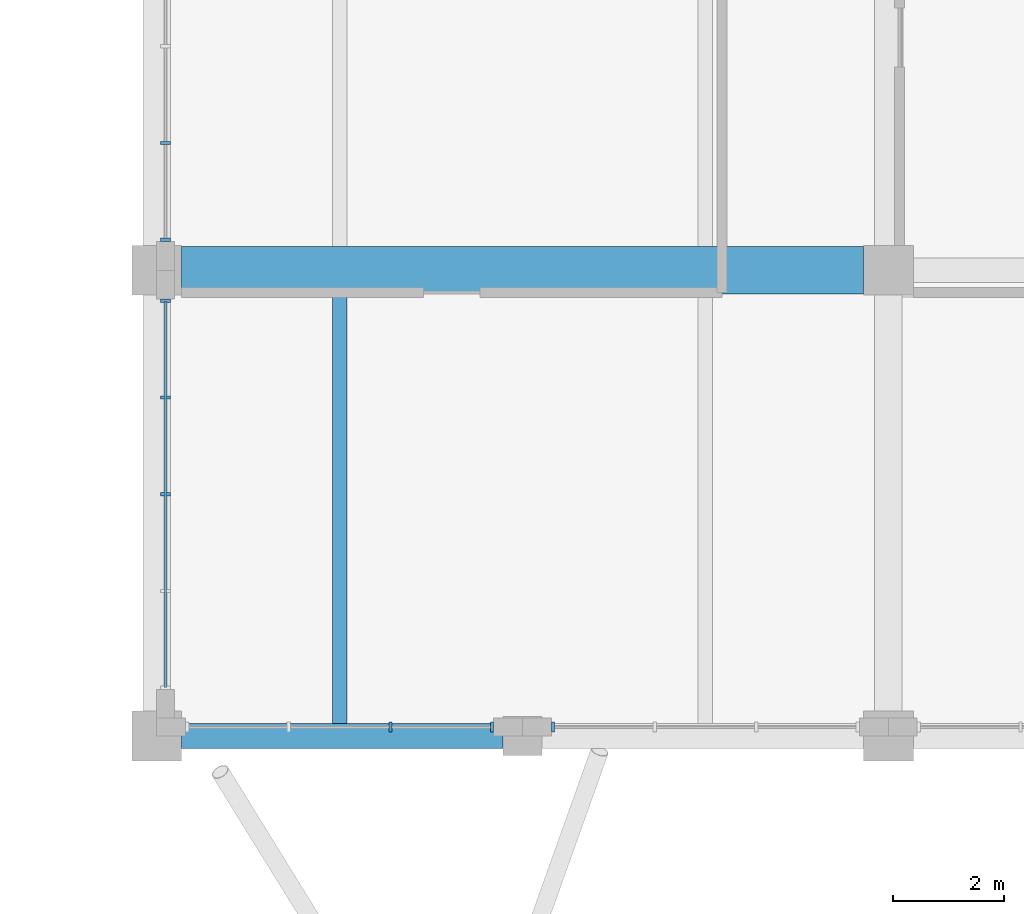
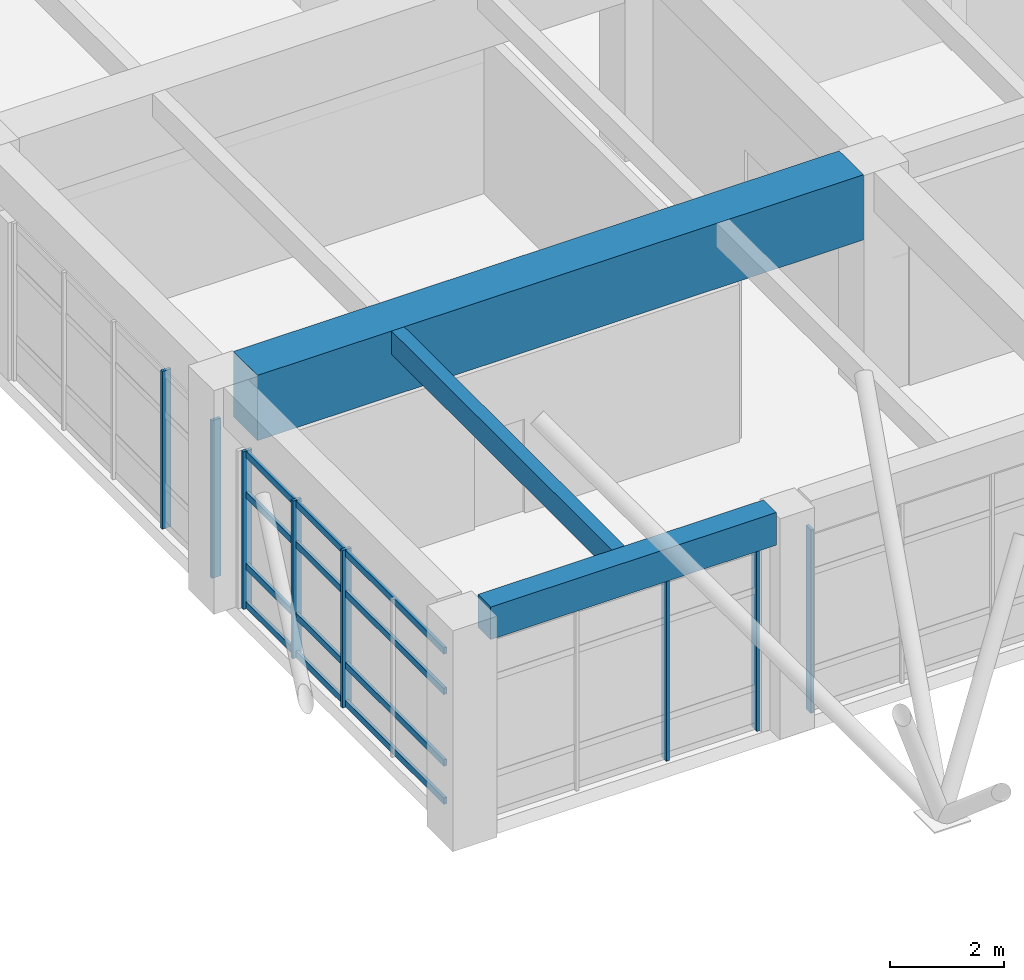
# One storey, part 22 of 75: 12 members, 3 beams, 4 elements without a shape of their own.
"""IFC4 building model written with IfcOpenShell, lengths in metres."""

from ifc_helpers import new_model, si_unit, direction, frame, origin, origin_2d, place, context, subcontext, project, spatial, rectangle, extrude, material, layer, layer_set, material_profile, profile_set, type_object, element, aggregate, save


model = new_model("IFC4")

# Units and contexts
model_context = context("Model", 3, precision=1e-05, world=origin(), true_north=direction((0.0, 1.0)))
body_context = subcontext(model_context, "Body", "Model", "MODEL_VIEW")
ifc_project = project(units=[si_unit("LENGTHUNIT", "METRE"), si_unit("AREAUNIT", "SQUARE_METRE"), si_unit("VOLUMEUNIT", "CUBIC_METRE"), si_unit("PLANEANGLEUNIT", "RADIAN"), si_unit("MASSUNIT", "GRAM", prefix="KILO")], contexts=[model_context])

# Site, building, storey
site_placement = place(None, origin())
site = spatial("IfcSite", under=ifc_project, at=site_placement, CompositionType="ELEMENT")
building_placement = place(site_placement, origin())
building = spatial("IfcBuilding", under=site, at=building_placement, Name="Kolvaren Faculty of Natural Sciences", CompositionType="ELEMENT")
storey_placement = place(building_placement, frame((0.0, 0.0, 5.39990234375)))
storey = spatial("IfcBuildingStorey", under=building, at=storey_placement, Name="L01", CompositionType="ELEMENT", Elevation=5.39990234375)

# Curtain wall, member
ifc_material_1 = material(Name="Thermally broken anodised aluminium framing", Category="aluminium")
ifc_layer = layer(ifc_material_1, 0.179931640625)
ifc_layer_set = layer_set([ifc_layer], Name="Thermally broken anodised aluminium framing")
curtain_wall_type = type_object("IfcCurtainWallType", Name="CommonsCurtainWall_CW02", PredefinedType="NOTDEFINED", material=ifc_layer_set)
curtain_wall_1_placement = place(storey_placement, origin())
curtain_wall_1 = element("IfcCurtainWall", 1, at=curtain_wall_1_placement, inside=storey, type_object=curtain_wall_type, Name="L01 unitised curtain wall CW-02 (CW-L01-031)", PredefinedType="NOTDEFINED")
ifc_material_profile_1 = material_profile(ifc_material_1, rectangle(XDim=0.06005859375, YDim=0.179931640625, at=origin_2d()), Name="ALU MUL 60x180")
ifc_profile_set_1 = profile_set([ifc_material_profile_1], Name="Thermally broken anodised aluminium framing")
member_type_1 = type_object("IfcMemberType", Name="CurtainMullion_60x180", PredefinedType="MULLION", material=ifc_profile_set_1)
member_1_placement = place(storey_placement, frame((126.14990234375, 67.56005859375, 0.0), z_axis=(0.0, 0.0, 1.0), x_axis=(-1.0, 0.0, 0.0)))
member_1 = element("IfcMember", 2, at=member_1_placement, type_object=member_type_1, Name="CW-L01-031 vertical mullion 4", PredefinedType="MULLION", context=body_context, shape_type="SweptSolid", body=[
    extrude(rectangle(XDim=0.06005859375, YDim=0.179931640625, at=origin_2d()), origin(), (0.0, 0.0, 1.0), 3.93505859375),
])
aggregate(curtain_wall_1, [member_1])

# Curtain wall, members
curtain_wall_2_placement = place(storey_placement, origin())
curtain_wall_2 = element("IfcCurtainWall", 3, at=curtain_wall_2_placement, inside=storey, type_object=curtain_wall_type, Name="L01 unitised curtain wall CW-02 (CW-L01-032)", PredefinedType="NOTDEFINED")
member_2_placement = place(storey_placement, frame((125.050048828125, 67.56005859375, 0.0), z_axis=(0.0, 0.0, 1.0), x_axis=(-1.0, 0.0, 0.0)))
member_2 = element("IfcMember", 4, at=member_2_placement, type_object=member_type_1, Name="CW-L01-032 vertical mullion 1", PredefinedType="MULLION", context=body_context, shape_type="SweptSolid", body=[
    extrude(rectangle(XDim=0.06005859375, YDim=0.179931640625, at=origin_2d()), origin(), (0.0, 0.0, 1.0), 3.93505859375),
])
member_3_placement = place(storey_placement, frame((123.216796875, 67.56005859375, 0.0), z_axis=(0.0, 0.0, 1.0), x_axis=(-1.0, 0.0, 0.0)))
member_3 = element("IfcMember", 5, at=member_3_placement, type_object=member_type_1, Name="CW-L01-032 vertical mullion 2", PredefinedType="MULLION", context=body_context, shape_type="SweptSolid", body=[
    extrude(rectangle(XDim=0.06005859375, YDim=0.179931640625, at=origin_2d()), origin(), (0.0, 0.0, 1.0), 3.93505859375),
])
aggregate(curtain_wall_2, [member_2, member_3])

curtain_wall_3_placement = place(storey_placement, origin())
curtain_wall_3 = element("IfcCurtainWall", 6, at=curtain_wall_3_placement, inside=storey, type_object=curtain_wall_type, Name="L01 unitised curtain wall CW-02 (CW-L01-033)", PredefinedType="NOTDEFINED")
member_4_placement = place(storey_placement, frame((119.159912109375, 71.760009765625, 0.0), z_axis=(0.0, 0.0, 1.0), x_axis=(0.0, 1.0, 0.0)))
member_4 = element("IfcMember", 7, at=member_4_placement, type_object=member_type_1, Name="CW-L01-033 vertical mullion 3", PredefinedType="MULLION", context=body_context, shape_type="SweptSolid", body=[
    extrude(rectangle(XDim=0.06005859375, YDim=0.179931640625, at=origin_2d()), origin(), (0.0, 0.0, 1.0), 3.385009765625),
])
member_5_placement = place(storey_placement, frame((119.159912109375, 73.5048828125, 0.0), z_axis=(0.0, 0.0, 1.0), x_axis=(0.0, 1.0, 0.0)))
member_5 = element("IfcMember", 8, at=member_5_placement, type_object=member_type_1, Name="CW-L01-033 vertical mullion 4", PredefinedType="MULLION", context=body_context, shape_type="SweptSolid", body=[
    extrude(rectangle(XDim=0.06005859375, YDim=0.179931640625, at=origin_2d()), origin(), (0.0, 0.0, 1.0), 3.385009765625),
])
member_6_placement = place(storey_placement, frame((119.159912109375, 75.25, 0.0), z_axis=(0.0, 0.0, 1.0), x_axis=(0.0, 1.0, 0.0)))
member_6 = element("IfcMember", 9, at=member_6_placement, type_object=member_type_1, Name="CW-L01-033 vertical mullion 5", PredefinedType="MULLION", context=body_context, shape_type="SweptSolid", body=[
    extrude(rectangle(XDim=0.06005859375, YDim=0.179931640625, at=origin_2d()), origin(), (0.0, 0.0, 1.0), 3.385009765625),
])

curtain_wall_4_placement = place(storey_placement, origin())
curtain_wall_4 = element("IfcCurtainWall", 10, at=curtain_wall_4_placement, inside=storey, type_object=curtain_wall_type, Name="L01 unitised curtain wall CW-02 (CW-L01-034)", PredefinedType="NOTDEFINED")
member_7_placement = place(storey_placement, frame((119.159912109375, 76.35009765625, 0.0), z_axis=(0.0, 0.0, 1.0), x_axis=(0.0, 1.0, 0.0)))
member_7 = element("IfcMember", 11, at=member_7_placement, type_object=member_type_1, Name="CW-L01-034 vertical mullion 1", PredefinedType="MULLION", context=body_context, shape_type="SweptSolid", body=[
    extrude(rectangle(XDim=0.06005859375, YDim=0.179931640625, at=origin_2d()), origin(), (0.0, 0.0, 1.0), 3.385009765625),
])
member_8_placement = place(storey_placement, frame((119.159912109375, 78.094970703125, 0.0), z_axis=(0.0, 0.0, 1.0), x_axis=(0.0, 1.0, 0.0)))
member_8 = element("IfcMember", 12, at=member_8_placement, type_object=member_type_1, Name="CW-L01-034 vertical mullion 2", PredefinedType="MULLION", context=body_context, shape_type="SweptSolid", body=[
    extrude(rectangle(XDim=0.06005859375, YDim=0.179931640625, at=origin_2d()), origin(), (0.0, 0.0, 1.0), 3.385009765625),
])
aggregate(curtain_wall_4, [member_7, member_8])

# Member
ifc_material_profile_2 = material_profile(ifc_material_1, rectangle(XDim=0.06005859375, YDim=0.139892578125, at=origin_2d()), Name="ALU TRN 60x140")
ifc_profile_set_2 = profile_set([ifc_material_profile_2], Name="Thermally broken anodised aluminium framing")
member_type_2 = type_object("IfcMemberType", Name="CurtainTransom_60x140", PredefinedType="USERDEFINED", material=ifc_profile_set_2)
member_9_placement = place(storey_placement, frame((119.159912109375, 68.27001953125, 0.080078125), z_axis=(0.0, 1.0, 0.0), x_axis=(-1.0, 0.0, 0.0)))
member_9 = element("IfcMember", 13, at=member_9_placement, type_object=member_type_2, Name="CW-L01-033 horizontal transom 1", ObjectType="TRANSOM", PredefinedType="USERDEFINED", context=body_context, shape_type="SweptSolid", body=[
    extrude(rectangle(XDim=0.06005859375, YDim=0.139892578125, at=origin_2d()), origin(), (0.0, 0.0, 1.0), 6.97998046875),
])

member_10_placement = place(storey_placement, frame((119.159912109375, 68.27001953125, 0.900146484375), z_axis=(0.0, 1.0, 0.0), x_axis=(-1.0, 0.0, 0.0)))
member_10 = element("IfcMember", 14, at=member_10_placement, type_object=member_type_2, Name="CW-L01-033 horizontal transom 2", ObjectType="TRANSOM", PredefinedType="USERDEFINED", context=body_context, shape_type="SweptSolid", body=[
    extrude(rectangle(XDim=0.06005859375, YDim=0.139892578125, at=origin_2d()), origin(), (0.0, 0.0, 1.0), 6.97998046875),
])

member_11_placement = place(storey_placement, frame((119.159912109375, 68.27001953125, 2.43505859375), z_axis=(0.0, 1.0, 0.0), x_axis=(-1.0, 0.0, 0.0)))
member_11 = element("IfcMember", 15, at=member_11_placement, type_object=member_type_2, Name="CW-L01-033 horizontal transom 3", ObjectType="TRANSOM", PredefinedType="USERDEFINED", context=body_context, shape_type="SweptSolid", body=[
    extrude(rectangle(XDim=0.06005859375, YDim=0.139892578125, at=origin_2d()), origin(), (0.0, 0.0, 1.0), 6.97998046875),
])

member_12_placement = place(storey_placement, frame((119.159912109375, 68.27001953125, 3.30517578125), z_axis=(0.0, 1.0, 0.0), x_axis=(-1.0, 0.0, 0.0)))
member_12 = element("IfcMember", 16, at=member_12_placement, type_object=member_type_2, Name="CW-L01-033 horizontal transom 4", ObjectType="TRANSOM", PredefinedType="USERDEFINED", context=body_context, shape_type="SweptSolid", body=[
    extrude(rectangle(XDim=0.06005859375, YDim=0.139892578125, at=origin_2d()), origin(), (0.0, 0.0, 1.0), 6.97998046875),
])

aggregate(curtain_wall_3, [member_4, member_5, member_6, member_9, member_10, member_11, member_12])

# Beams
ifc_material_2 = material(Name="Concrete C35/45", Category="concrete")
ifc_material_profile_3 = material_profile(ifc_material_2, rectangle(XDim=0.260009765625, YDim=0.5, at=origin_2d()), Name="RC JST 260x500")
ifc_profile_set_3 = profile_set([ifc_material_profile_3], Name="Concrete C35/45")
beam_type_1 = type_object("IfcBeamType", Name="LabRibJoist_260x500", PredefinedType="JOIST", material=ifc_profile_set_3)
beam_1_placement = place(storey_placement, frame((122.300048828125, 67.625, 4.550048828125), z_axis=(0.0, 1.0, 0.0), x_axis=(-1.0, 0.0, 0.0)))
element("IfcBeam", 17, at=beam_1_placement, inside=storey, type_object=beam_type_1, Name="L01 ribbed laboratory slab joist JS-50", PredefinedType="JOIST", context=body_context, shape_type="SweptSolid", body=[
    extrude(rectangle(XDim=0.260009765625, YDim=0.5, at=origin_2d()), origin(), (0.0, 0.0, 1.0), 7.75),
])
ifc_material_profile_4 = material_profile(ifc_material_2, rectangle(XDim=0.449951171875, YDim=0.699951171875, at=origin_2d()), Name="RC SP 450x700")
ifc_profile_set_4 = profile_set([ifc_material_profile_4], Name="Concrete C35/45")
beam_type_2 = type_object("IfcBeamType", Name="PerimeterSpandrel_450x700", PredefinedType="SPANDREL", material=ifc_profile_set_4)
beam_2_placement = place(storey_placement, frame((119.449951171875, 67.39990234375, 4.4501953125), z_axis=(1.0, 0.0, 0.0), x_axis=(0.0, 1.0, 0.0)))
element("IfcBeam", 18, at=beam_2_placement, inside=storey, type_object=beam_type_2, Name="L01 spandrel SP-70 on grid J", PredefinedType="SPANDREL", context=body_context, shape_type="SweptSolid", body=[
    extrude(rectangle(XDim=0.449951171875, YDim=0.699951171875, at=origin_2d()), origin(), (0.0, 0.0, 1.0), 5.800048828125),
])
ifc_material_3 = material(Name="Concrete C40/50", Category="concrete")
ifc_material_profile_5 = material_profile(ifc_material_3, rectangle(XDim=0.85009765625, YDim=1.39990234375, at=origin_2d()), Name="RC TG 850x1400")
ifc_profile_set_5 = profile_set([ifc_material_profile_5], Name="Concrete C40/50")
beam_type_3 = type_object("IfcBeamType", Name="TransferGirder_850x1400", PredefinedType="BEAM", material=ifc_profile_set_5)
beam_3_placement = place(storey_placement, frame((119.449951171875, 75.800048828125, 4.10009765625), z_axis=(1.0, 0.0, 0.0), x_axis=(0.0, 1.0, 0.0)))
element("IfcBeam", 19, at=beam_3_placement, inside=storey, type_object=beam_type_3, Name="L02 reinforced concrete transfer girder TG-1 TG-V2-E.1", PredefinedType="BEAM", context=body_context, shape_type="SweptSolid", body=[
    extrude(rectangle(XDim=0.85009765625, YDim=1.39990234375, at=origin_2d()), origin(), (0.0, 0.0, 1.0), 12.300048828125),
])

save(model, "model.ifc")
